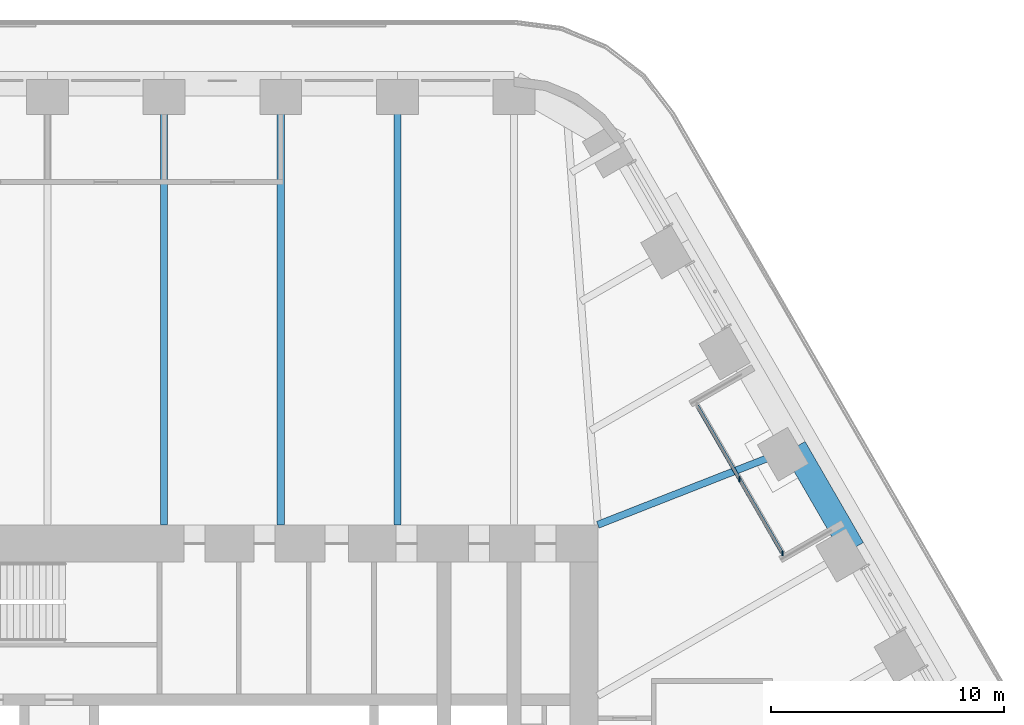
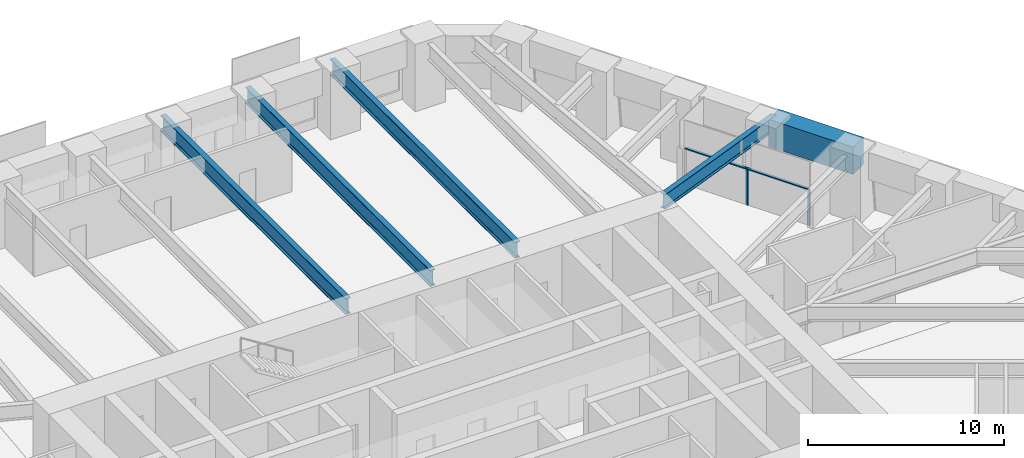
# One storey, part 11 of 24: 5 beams, 3 members, 1 element without a shape of its own.
"""IFC4 building model written with IfcOpenShell, lengths in metres."""

from ifc_helpers import new_model, si_unit, direction, frame, origin, origin_2d, place, context, subcontext, project, spatial, rectangle, i_section, extrude, material, material_profile, profile_set, type_object, element, aggregate, save


model = new_model("IFC4")

# Units and contexts
model_context = context("Model", 3, precision=1e-05, world=origin(), true_north=direction((0.0, 1.0)))
body_context = subcontext(model_context, "Body", "Model", "MODEL_VIEW")
ifc_project = project(units=[si_unit("LENGTHUNIT", "METRE"), si_unit("AREAUNIT", "SQUARE_METRE"), si_unit("VOLUMEUNIT", "CUBIC_METRE"), si_unit("PLANEANGLEUNIT", "RADIAN"), si_unit("MASSUNIT", "GRAM", prefix="KILO")], contexts=[model_context])

# Site, building, storey
site_placement = place(None, origin())
site = spatial("IfcSite", under=ifc_project, at=site_placement, CompositionType="ELEMENT")
building_placement = place(site_placement, origin())
building = spatial("IfcBuilding", under=site, at=building_placement, Name="Tarfa Lantern Tower", CompositionType="ELEMENT")
storey_placement = place(building_placement, frame((0.0, 0.0, 127.89990234375)))
storey = spatial("IfcBuildingStorey", under=building, at=storey_placement, Name="L28", CompositionType="ELEMENT", Elevation=127.89990234375)

# Curtain wall, members
ifc_material_1 = material(Name="Aluminium framed curtain wall", Category="aluminium")
curtain_wall_type = type_object("IfcCurtainWallType", Name="CW10 LOGGIA GLAZING 2300", PredefinedType="USERDEFINED", material=ifc_material_1)
curtain_wall_placement = place(storey_placement, origin())
curtain_wall = element("IfcCurtainWall", 1, at=curtain_wall_placement, inside=storey, type_object=curtain_wall_type, Name="CW10 NEL L28", ObjectType="CURTAIN WALL", PredefinedType="USERDEFINED")
ifc_material_2 = material(Name="Aluminium mullion", Category="aluminium")
ifc_material_profile_1 = material_profile(ifc_material_2, rectangle(XDim=0.06494140625, YDim=0.199951171875, at=origin_2d()), Name="AL MULLION 65x200")
ifc_profile_set_1 = profile_set([ifc_material_profile_1], Name="Aluminium mullion")
member_type_1 = type_object("IfcMemberType", Name="CWM1 MULLION 65x200", PredefinedType="MULLION", material=ifc_profile_set_1)
member_1_placement = place(storey_placement, frame((26.517333984375, 11.070556640625, 0.0), z_axis=(0.0, 0.0, 1.0), x_axis=(1.0, 0.0, 0.0)))
member_1 = element("IfcMember", 2, at=member_1_placement, type_object=member_type_1, Name="CW10 mullion 1", PredefinedType="MULLION", context=body_context, shape_type="SweptSolid", body=[
    extrude(rectangle(XDim=0.06494140625, YDim=0.199951171875, at=origin_2d()), origin(), (0.0, 0.0, 1.0), 2.300048828125),
])
member_2_placement = place(storey_placement, frame((24.681640625, 14.25, 0.0), z_axis=(0.0, 0.0, 1.0), x_axis=(1.0, 0.0, 0.0)))
member_2 = element("IfcMember", 3, at=member_2_placement, type_object=member_type_1, Name="CW10 mullion 2", PredefinedType="MULLION", context=body_context, shape_type="SweptSolid", body=[
    extrude(rectangle(XDim=0.06494140625, YDim=0.199951171875, at=origin_2d()), origin(), (0.0, 0.0, 1.0), 2.300048828125),
])
ifc_material_3 = material(Name="Aluminium transom", Category="aluminium")
ifc_material_profile_2 = material_profile(ifc_material_3, rectangle(XDim=0.14990234375, YDim=0.06494140625, at=origin_2d()), Name="AL TRANSOM 150x65")
ifc_profile_set_2 = profile_set([ifc_material_profile_2], Name="Aluminium transom")
member_type_2 = type_object("IfcMemberType", Name="CWT1 TRANSOM 150x65", PredefinedType="USERDEFINED", material=ifc_profile_set_2)
member_3_placement = place(storey_placement, frame((26.5009765625, 11.098876953125, 2.267578125), z_axis=(-0.500007048974, 0.866021334019, 0.0), x_axis=(-0.866021334019, -0.500007048974, 0.0)))
member_3 = element("IfcMember", 4, at=member_3_placement, type_object=member_type_2, Name="CW10 transom 1.2", ObjectType="TRANSOM", PredefinedType="USERDEFINED", context=body_context, shape_type="SweptSolid", body=[
    extrude(rectangle(XDim=0.14990234375, YDim=0.06494140625, at=origin_2d()), origin(), (0.0, 0.0, 1.0), 7.27734375),
])
aggregate(curtain_wall, [member_1, member_2, member_3])

# Beams
ifc_material_4 = material(Name="Concrete C80/95", Category="concrete")
ifc_material_profile_3 = material_profile(ifc_material_4, rectangle(XDim=1.050048828125, YDim=1.699951171875, at=origin_2d()), Name="RC 1050x1700")
ifc_profile_set_3 = profile_set([ifc_material_profile_3], Name="Concrete C80/95")
beam_type_1 = type_object("IfcBeamType", Name="RB2 RC 1050x1700", PredefinedType="BEAM", material=ifc_profile_set_3)
beam_1_placement = place(storey_placement, frame((29.5390625, 11.276611328125, 3.150146484375), z_axis=(-0.499964603504, 0.866045838996, 0.0), x_axis=(-0.866045838996, -0.499964603504, 0.0)))
element("IfcBeam", 5, at=beam_1_placement, inside=storey, type_object=beam_type_1, Name="Edge beam NE2", PredefinedType="BEAM", context=body_context, shape_type="SweptSolid", body=[
    extrude(rectangle(XDim=1.050048828125, YDim=1.699951171875, at=origin_2d()), origin(), (0.0, 0.0, 1.0), 5.003662109375),
])
ifc_material_5 = material(Name="Steel S460M", Category="steel")
ifc_material_profile_4 = material_profile(ifc_material_5, i_section(OverallWidth=0.302001953125, OverallDepth=1.008056640625, WebThickness=0.02099609375, FlangeThickness=0.0400390625, FilletRadius=0.030029296875, at=origin_2d()), Name="UB1016x305x349")
ifc_profile_set_4 = profile_set([ifc_material_profile_4], Name="Steel S460M")
beam_type_2 = type_object("IfcBeamType", Name="UB1016x305x349", PredefinedType="BEAM", material=ifc_profile_set_4)
for number, where, z_axis, x_axis, name in (
    (6, (10.00732421875, 31.219970703125, 3.49609375), (0.0, -1.0, 0.0), (1.0, 0.0, 0.0), "Floor beam N1"),
    (7, (5.003662109375, 31.219970703125, 3.49609375), (0.0, -1.0, 0.0), (1.0, 0.0, 0.0), "Floor beam N2"),
    (8, (0.0, 31.219970703125, 3.49609375), (0.0, -1.0, 0.0), (1.0, 0.0, 0.0), "Floor beam N3"),
):
    element("IfcBeam", number, at=place(storey_placement, frame(where, z_axis=z_axis, x_axis=x_axis)), inside=storey, type_object=beam_type_2, Name=name, PredefinedType="BEAM", context=body_context, shape_type="SweptSolid", body=[
        extrude(i_section(OverallWidth=0.302001953125, OverallDepth=1.008056640625, WebThickness=0.02099609375, FlangeThickness=0.0400390625, FilletRadius=0.030029296875, at=origin_2d()), origin(), (0.0, 0.0, 1.0), 18.919921875),
    ])
ifc_material_profile_5 = material_profile(ifc_material_5, i_section(OverallWidth=0.305419921875, OverallDepth=0.91845703125, WebThickness=0.017333984375, FlangeThickness=0.02783203125, FilletRadius=0.01904296875, at=origin_2d()), Name="UB914x305x253")
ifc_profile_set_5 = profile_set([ifc_material_profile_5], Name="Steel S460M")
beam_type_3 = type_object("IfcBeamType", Name="UB914x305x253", PredefinedType="BEAM", material=ifc_profile_set_5)
beam_2_placement = place(storey_placement, frame((27.037353515625, 15.610107421875, 3.541015625), z_axis=(-0.930923282782, -0.365214788274, 0.0), x_axis=(0.365214788274, -0.930923282782, 0.0)))
element("IfcBeam", 9, at=beam_2_placement, inside=storey, type_object=beam_type_3, Name="Floor beam NE3", PredefinedType="BEAM", context=body_context, shape_type="SweptSolid", body=[
    extrude(i_section(OverallWidth=0.305419921875, OverallDepth=0.91845703125, WebThickness=0.017333984375, FlangeThickness=0.02783203125, FilletRadius=0.01904296875, at=origin_2d()), origin(), (0.0, 0.0, 1.0), 9.063232421875),
])

save(model, "model.ifc")
